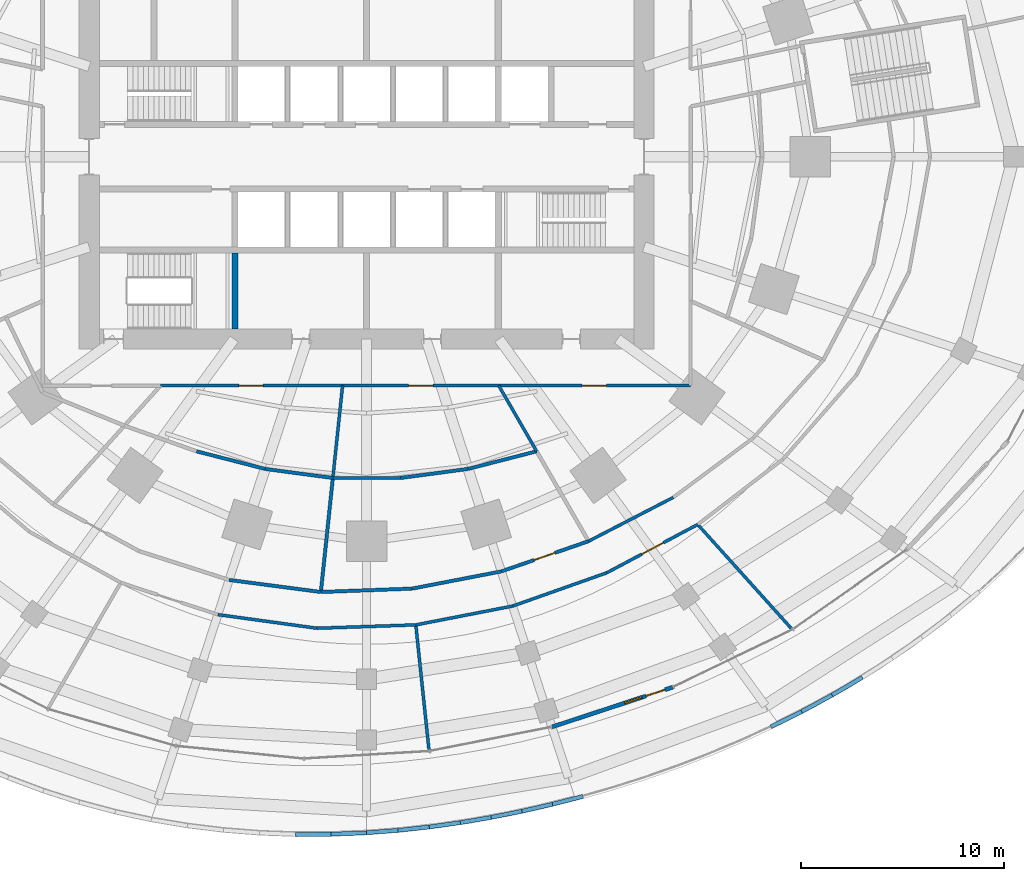
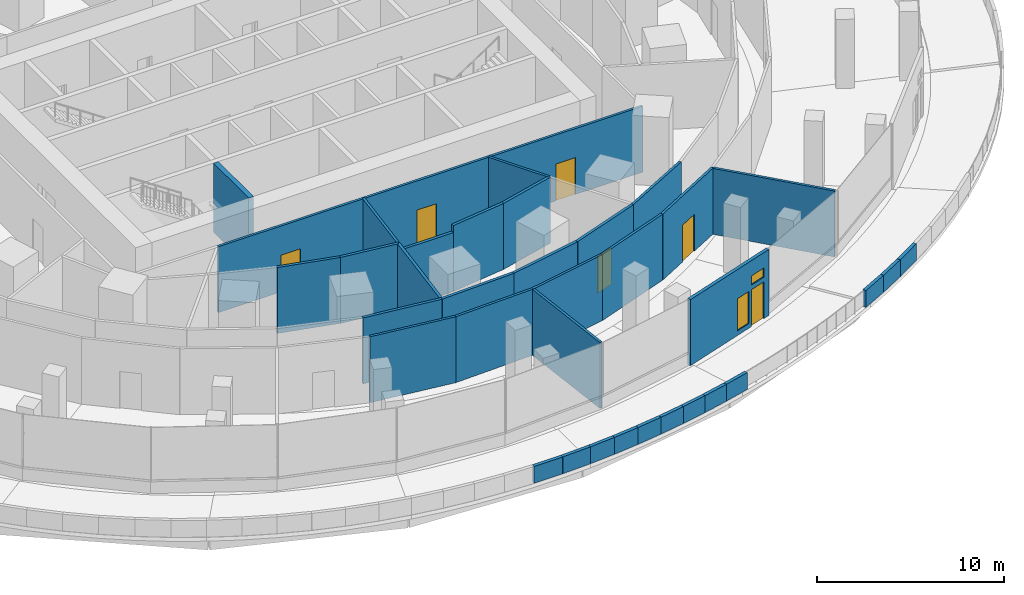
# One storey, part 19 of 27: 35 walls, 6 doors, 2 windows, 8 openings.
"""IFC4 building model written with IfcOpenShell, lengths in metres."""

import ifcopenshell
import ifcopenshell.guid

model = None  # the IFC model being written
_history = None  # IfcOwnerHistory: only IFC2X3 demands one
_inside = {}  # id of a spatial element -> (the spatial element, [elements in it])
_under = {}  # id of a project, library or spatial element -> (it, [spatial elements below it])
_declared = {}  # id of a project -> (the project, [libraries it declares])
_typed = {}  # id of a type object -> (the type object, [elements of that type])
_made_of = {}  # id of a material, layer set ... -> (it, [elements and type objects made of it])


def new_model(schema):
    """Start an empty IFC model of exactly this schema.

    Asked for "IFC4X3", IfcOpenShell would pick the latest addendum, in which some entities
    have other attributes; the version numbers below select the first issue.
    IFC2X3 requires an IfcOwnerHistory on every rooted entity: one is made here for all.
    """
    global model, _history
    if schema == "IFC4X3":
        model = ifcopenshell.file(schema_version=(4, 3, 0, 0))
    else:
        model = ifcopenshell.file(schema=schema)
    _inside.clear()
    _under.clear()
    _declared.clear()
    _typed.clear()
    _made_of.clear()
    _history = None
    if model.schema == "IFC2X3":
        org = make("IfcOrganization", Name="unknown")
        user = make(
            "IfcPersonAndOrganization",
            ThePerson=make("IfcPerson", FamilyName="unknown"),
            TheOrganization=org,
        )
        app = make(
            "IfcApplication",
            ApplicationDeveloper=org,
            Version="unknown",
            ApplicationFullName="unknown",
            ApplicationIdentifier="unknown",
        )
        _history = make(
            "IfcOwnerHistory",
            OwningUser=user,
            OwningApplication=app,
            ChangeAction="ADDED",
            CreationDate=0,
        )
    return model


def make(cls, **values):
    """One entity of the class cls with the attributes given. An attribute that is None is left unset."""
    return model.create_entity(
        cls, **{name: value for name, value in values.items() if value is not None}
    )


def rooted(cls, **values):
    """An entity with a GlobalId (a new one), such as an element, a storey or a relation."""
    return make(cls, GlobalId=ifcopenshell.guid.new(), OwnerHistory=_history, **values)


def si_unit(unit_type, name, prefix=None):
    """IfcSIUnit, for example si_unit("LENGTHUNIT", "METRE", prefix="MILLI")."""
    return make("IfcSIUnit", UnitType=unit_type, Prefix=prefix, Name=name)


def assignment(units):
    """IfcUnitAssignment: the units of a project."""
    return None if units is None else make("IfcUnitAssignment", Units=units)


def point(xyz):
    """IfcCartesianPoint."""
    return None if xyz is None else make("IfcCartesianPoint", Coordinates=xyz)


def direction(xyz):
    """IfcDirection."""
    return None if xyz is None else make("IfcDirection", DirectionRatios=xyz)


def frame(location, z_axis=None, x_axis=None):
    """IfcAxis2Placement3D, a coordinate frame: its origin and axes. An axis left out is left unset."""
    return make(
        "IfcAxis2Placement3D",
        Location=point(location),
        Axis=direction(z_axis),
        RefDirection=direction(x_axis),
    )


def frame_2d(location, x_axis=None):
    """IfcAxis2Placement2D, a coordinate frame in the plane: its origin and x axis."""
    return make(
        "IfcAxis2Placement2D", Location=point(location), RefDirection=direction(x_axis)
    )


def origin():
    """The frame at (0, 0, 0) with its axes left unset."""
    return frame((0.0, 0.0, 0.0))


def place(relative_to, where):
    """IfcLocalPlacement: puts the frame where relative to a parent placement (None: the world)."""
    return make(
        "IfcLocalPlacement", PlacementRelTo=relative_to, RelativePlacement=where
    )


def context(
    kind, dimensions, precision=None, world=None, true_north=None, identifier=None
):
    """IfcGeometricRepresentationContext, for example the 3D "Model" context."""
    return make(
        "IfcGeometricRepresentationContext",
        ContextIdentifier=identifier,
        ContextType=kind,
        CoordinateSpaceDimension=dimensions,
        Precision=precision,
        WorldCoordinateSystem=world,
        TrueNorth=true_north,
    )


def subcontext(parent, identifier, kind, view, scale=None):
    """IfcGeometricRepresentationSubContext, for example "Body" below "Model"."""
    return make(
        "IfcGeometricRepresentationSubContext",
        ContextIdentifier=identifier,
        ContextType=kind,
        ParentContext=parent,
        TargetScale=scale,
        TargetView=view,
    )


def project(units=None, contexts=None):
    """IfcProject with its units and contexts."""
    return rooted(
        "IfcProject",
        Name="project",
        RepresentationContexts=contexts,
        UnitsInContext=assignment(units),
    )


def spatial(cls, under=None, at=None, **own):
    """A site, building, storey or space (cls), placed at a placement, below another one or the project."""
    s = rooted(cls, ObjectPlacement=at, **own)
    if under is not None:
        _under.setdefault(under.id(), (under, []))[1].append(s)
    return s


def profile(cls, at=None, kind="AREA", **sizes):
    """A parametric profile (cls). Its sizes go by their IFC names, for example OverallWidth=200.0."""
    return make(cls, ProfileType=kind, Position=at, **sizes)


def rectangle(**sizes):
    """IfcRectangleProfileDef."""
    return profile("IfcRectangleProfileDef", **sizes)


def extrude(swept, where, along, depth):
    """IfcExtrudedAreaSolid: the profile swept, set in the frame where, extruded along a direction by depth."""
    return make(
        "IfcExtrudedAreaSolid",
        SweptArea=swept,
        Position=where,
        ExtrudedDirection=direction(along),
        Depth=depth,
    )


def shape(context_of_items, identifier, shape_type, items):
    """IfcShapeRepresentation: the items that make up one representation, for example the "Body"."""
    return make(
        "IfcShapeRepresentation",
        ContextOfItems=context_of_items,
        RepresentationIdentifier=identifier,
        RepresentationType=shape_type,
        Items=items,
    )


def material(Name=None, Category=None):
    """IfcMaterial."""
    return make("IfcMaterial", Name=Name, Category=Category)


def layer(
    of_material, thickness, ventilated=None, Name=None, Category=None, Priority=None
):
    """IfcMaterialLayer: one layer of a wall or slab, of a material (None: an air gap)."""
    return make(
        "IfcMaterialLayer",
        Material=of_material,
        LayerThickness=thickness,
        IsVentilated=ventilated,
        Name=Name,
        Category=Category,
        Priority=Priority,
    )


def layer_set(layers, Name=None):
    """IfcMaterialLayerSet."""
    return make("IfcMaterialLayerSet", MaterialLayers=layers, LayerSetName=Name)


def made_of(thing, what):
    """Note that an element or type object is made of a material, layer set ...; save() writes the relation."""
    if what is not None:
        _made_of.setdefault(what.id(), (what, []))[1].append(thing)
    return thing


def type_object(cls, material=None, **own):
    """A type object (cls), such as IfcWallType, which elements share."""
    return made_of(rooted(cls, **own), material)


def element(
    cls,
    number,
    at=None,
    inside=None,
    cuts=None,
    type_object=None,
    material=None,
    context=None,
    identifier="Body",
    shape_type=None,
    held_by="IfcProductDefinitionShape",
    body=None,
    shapes=None,
    **own,
):
    """One element of the class cls, such as IfcWall. Its Tag is "e" and its number.

    at: its placement. inside: the storey or other place that contains it. cuts: it is an
    opening in that element (IfcRelVoidsElement). A single representation is given by context,
    identifier, shape_type and body (its items); several are given by shapes. held_by: the class
    of the entity that holds the representations. save() writes the other relations.
    """
    e = rooted(cls, Tag="e%d" % number, ObjectPlacement=at, **own)
    if body is not None:
        shapes = [shape(context, identifier, shape_type, body)]
    if shapes is not None:
        e.Representation = make(held_by, Representations=shapes)
    if inside is not None:
        _inside.setdefault(inside.id(), (inside, []))[1].append(e)
    if cuts is not None:
        rooted(
            "IfcRelVoidsElement", RelatingBuildingElement=cuts, RelatedOpeningElement=e
        )
    if type_object is not None:
        _typed.setdefault(type_object.id(), (type_object, []))[1].append(e)
    return made_of(e, material)


def fill(opening, filler):
    """IfcRelFillsElement: the door or window that sits in an opening."""
    return rooted(
        "IfcRelFillsElement",
        RelatingOpeningElement=opening,
        RelatedBuildingElement=filler,
    )


def aggregate(whole, parts):
    """IfcRelAggregates: a whole, such as a stair, and the parts it consists of."""
    return rooted("IfcRelAggregates", RelatingObject=whole, RelatedObjects=parts)


def save(model, path):
    """Write the relations noted so far, then the file.

    IfcRelAggregates (storeys below a building ...), IfcRelContainedInSpatialStructure (elements
    in a storey), IfcRelDefinesByType, IfcRelAssociatesMaterial and IfcRelDeclares: one each for
    every whole, place, type object, material and project.
    """
    for whole, parts in _under.values():
        aggregate(whole, parts)
    for where, things in _inside.values():
        rooted(
            "IfcRelContainedInSpatialStructure",
            RelatedElements=things,
            RelatingStructure=where,
        )
    for kind, things in _typed.values():
        rooted("IfcRelDefinesByType", RelatedObjects=things, RelatingType=kind)
    for what, things in _made_of.values():
        rooted("IfcRelAssociatesMaterial", RelatedObjects=things, RelatingMaterial=what)
    for by, libraries in _declared.values():
        rooted("IfcRelDeclares", RelatingContext=by, RelatedDefinitions=libraries)
    model.write(path)


model = new_model("IFC4")

# Units and contexts
model_context = context("Model", 3, precision=1e-05, world=origin(), true_north=direction((0.0, 1.0)))
body_context = subcontext(model_context, "Body", "Model", "MODEL_VIEW")
ifc_project = project(units=[si_unit("LENGTHUNIT", "METRE"), si_unit("AREAUNIT", "SQUARE_METRE"), si_unit("VOLUMEUNIT", "CUBIC_METRE"), si_unit("PLANEANGLEUNIT", "RADIAN"), si_unit("MASSUNIT", "GRAM", prefix="KILO")], contexts=[model_context])

# Site, building, storey
site_placement = place(None, origin())
site = spatial("IfcSite", under=ifc_project, at=site_placement, CompositionType="ELEMENT")
building_placement = place(site_placement, origin())
building = spatial("IfcBuilding", under=site, at=building_placement, Name="Marramba Exchange Tower", CompositionType="ELEMENT")
storey_placement = place(building_placement, frame((0.0, 0.0, 10.60009765625)))
storey = spatial("IfcBuildingStorey", under=building, at=storey_placement, Name="L02", CompositionType="ELEMENT", Elevation=10.60009765625)

# Walls
ifc_material_1 = material(Name="Plasterboard on staggered double steel studs, acoustic insulation", Category="steel")
ifc_layer_1 = layer(ifc_material_1, 0.169921875)
ifc_layer_set_1 = layer_set([ifc_layer_1], Name="Acoustic partition 170")
wall_type_1 = type_object("IfcWallType", Name="Acoustic partition 170", PredefinedType="PARTITIONING", material=ifc_layer_set_1)
wall_1_placement = place(storey_placement, frame((-5.00830078125, -15.414306640625, 0.0), z_axis=(0.0, 0.0, 1.0), x_axis=(-0.968562622374, 0.248769866625, 0.0)))
element("IfcWall", 1, at=wall_1_placement, inside=storey, type_object=wall_type_1, Name="Acoustic partition L02 20", PredefinedType="PARTITIONING", context=body_context, shape_type="SweptSolid", body=[
    extrude(rectangle(XDim=3.498779296875, YDim=0.169921875, at=frame_2d((1.74951171875, 0.0))), origin(), (0.0, 0.0, 1.0), 4.2998046875),
])
wall_2_placement = place(storey_placement, frame((-2.2587890625, -21.4912109375, 0.0), z_axis=(0.0, 0.0, 1.0), x_axis=(-0.991487722643, 0.130200214467, 0.0)))
element("IfcWall", 2, at=wall_2_placement, inside=storey, type_object=wall_type_1, Name="Acoustic partition L02 23", PredefinedType="PARTITIONING", context=body_context, shape_type="SweptSolid", body=[
    extrude(rectangle(XDim=4.569580078125, YDim=0.169921875, at=frame_2d((2.28466796875, 0.0))), origin(), (0.0, 0.0, 1.0), 4.2998046875),
])
wall_3_placement = place(storey_placement, frame((-1.6669921875, -15.861083984375, 0.0), z_axis=(0.0, 0.0, 1.0), x_axis=(-0.991178495561, 0.132533731322, 0.0)))
element("IfcWall", 3, at=wall_3_placement, inside=storey, type_object=wall_type_1, Name="Acoustic partition L02 24", PredefinedType="PARTITIONING", context=body_context, shape_type="SweptSolid", body=[
    extrude(rectangle(XDim=3.37109375, YDim=0.169921875, at=frame_2d((1.685546875, 0.0))), origin(), (0.0, 0.0, 1.0), 4.2998046875),
])
wall_4_placement = place(storey_placement, frame((-1.6669921875, -15.861083984375, 0.0), z_axis=(0.0, 0.0, 1.0), x_axis=(-0.104536620101, -0.994521038017, 0.0)))
element("IfcWall", 4, at=wall_4_placement, inside=storey, type_object=wall_type_1, Name="Acoustic partition L02 27", PredefinedType="PARTITIONING", context=body_context, shape_type="SweptSolid", body=[
    extrude(rectangle(XDim=5.6611328125, YDim=0.169921875, at=frame_2d((2.83056640625, 0.0))), origin(), (0.0, 0.0, 1.0), 4.2998046875),
])
wall_5_placement = place(storey_placement, frame((2.2412109375, -21.32470703125, 0.0), z_axis=(0.0, 0.0, 1.0), x_axis=(-0.999316169957, -0.03697556575, 0.0)))
element("IfcWall", 5, at=wall_5_placement, inside=storey, type_object=wall_type_1, Name="Acoustic partition L02 28", PredefinedType="PARTITIONING", context=body_context, shape_type="SweptSolid", body=[
    extrude(rectangle(XDim=4.503173828125, YDim=0.169921875, at=frame_2d((2.25146484375, 0.0))), origin(), (0.0, 0.0, 1.0), 4.2998046875),
])
wall_6_placement = place(storey_placement, frame((1.6669921875, -15.861083984375, 0.0), z_axis=(0.0, 0.0, 1.0), x_axis=(-1.0, 0.0, 0.0)))
element("IfcWall", 6, at=wall_6_placement, inside=storey, type_object=wall_type_1, Name="Acoustic partition L02 30", PredefinedType="PARTITIONING", context=body_context, shape_type="SweptSolid", body=[
    extrude(rectangle(XDim=3.333984375, YDim=0.169921875, at=frame_2d((1.6669921875, 0.0))), origin(), (0.0, 0.0, 1.0), 3.845947265625),
])
wall_7_placement = place(storey_placement, frame((6.652587890625, -20.474609375, 0.0), z_axis=(0.0, 0.0, 1.0), x_axis=(-0.981933890717, -0.189224296169, 0.0)))
element("IfcWall", 7, at=wall_7_placement, inside=storey, type_object=wall_type_1, Name="Acoustic partition L02 33", PredefinedType="PARTITIONING", context=body_context, shape_type="SweptSolid", body=[
    extrude(rectangle(XDim=4.492431640625, YDim=0.169921875, at=frame_2d((2.24609375, 0.0))), origin(), (0.0, 0.0, 1.0), 4.2998046875),
])
wall_8_placement = place(storey_placement, frame((5.00830078125, -15.414306640625, 0.0), z_axis=(0.0, 0.0, 1.0), x_axis=(-0.991178495561, -0.132533731322, 0.0)))
element("IfcWall", 8, at=wall_8_placement, inside=storey, type_object=wall_type_1, Name="Acoustic partition L02 34", PredefinedType="PARTITIONING", context=body_context, shape_type="SweptSolid", body=[
    extrude(rectangle(XDim=3.37109375, YDim=0.169921875, at=frame_2d((1.685546875, 0.0))), origin(), (0.0, 0.0, 1.0), 4.2998046875),
])

# Wall, opening, door
wall_9_placement = place(storey_placement, frame((10.9599609375, -18.983154296875, 0.0), z_axis=(0.0, 0.0, 1.0), x_axis=(-0.944956141071, -0.327197022377, 0.0)))
wall_9 = element("IfcWall", 9, at=wall_9_placement, inside=storey, type_object=wall_type_1, Name="Acoustic partition L02 37", PredefinedType="PARTITIONING", context=body_context, shape_type="SweptSolid", body=[
    extrude(rectangle(XDim=4.558349609375, YDim=0.169921875, at=frame_2d((2.279296875, 0.0))), origin(), (0.0, 0.0, 1.0), 4.2998046875),
])
opening_1_placement = place(wall_9_placement, frame((1.75390625, 0.0, 0.0)))
opening_1 = element("IfcOpeningElement", 10, at=opening_1_placement, cuts=wall_9, Name="Opening D15", PredefinedType="OPENING", context=body_context, shape_type="SweptSolid", body=[
    extrude(rectangle(XDim=1.10009765625, YDim=2.39990234375, at=frame_2d((0.550048828125, 1.199951171875))), frame((0.0, 0.094970703125, 0.0), z_axis=(0.0, -1.0, 0.0), x_axis=(1.0, 0.0, 0.0)), (0.0, 0.0, 1.0), 0.18994140625),
])
ifc_material_2 = material(Name="Timber door", Category="wood")
door_type_1 = type_object("IfcDoorType", Name="Glazed meeting room door 1100x2400", OperationType="SINGLE_SWING_LEFT", PredefinedType="DOOR", material=ifc_material_2)
door_1_placement = place(opening_1_placement, origin())
door_1 = element("IfcDoor", 11, at=door_1_placement, inside=storey, type_object=door_type_1, Name="D15 Meeting Room 5 L02", OperationType="SINGLE_SWING_RIGHT", OverallHeight=2.39990234375, OverallWidth=1.10009765625, PredefinedType="DOOR", context=body_context, shape_type="SweptSolid", body=[
    extrude(rectangle(XDim=1.10009765625, YDim=2.39990234375, at=frame_2d((0.550048828125, 1.199951171875))), frame((0.0, 0.02490234375, 0.0), z_axis=(0.0, -1.0, 0.0), x_axis=(1.0, 0.0, 0.0)), (0.0, 0.0, 1.0), 0.050048828125),
])
fill(opening_1, door_1)

# Walls
wall_10_placement = place(storey_placement, frame((8.39697265625, -14.5439453125, 0.0), z_axis=(0.0, 0.0, 1.0), x_axis=(-0.968562622374, -0.248769866625, 0.0)))
element("IfcWall", 12, at=wall_10_placement, inside=storey, type_object=wall_type_1, Name="Acoustic partition L02 38", PredefinedType="PARTITIONING", context=body_context, shape_type="SweptSolid", body=[
    extrude(rectangle(XDim=3.498779296875, YDim=0.169921875, at=frame_2d((1.74951171875, 0.0))), origin(), (0.0, 0.0, 1.0), 4.2998046875),
])
ifc_material_3 = material(Name="Concrete N50", Category="concrete")
ifc_layer_2 = layer(ifc_material_3, 0.300048828125)
ifc_layer_set_2 = layer_set([ifc_layer_2], Name="Core wall 300")
wall_type_2 = type_object("IfcWallType", Name="Core wall 300", PredefinedType="SHEAR", material=ifc_layer_set_2)
wall_11_placement = place(storey_placement, frame((-6.5, -4.75, 0.0), z_axis=(0.0, 0.0, 1.0), x_axis=(0.0, -1.0, 0.0)))
element("IfcWall", 13, at=wall_11_placement, inside=storey, type_object=wall_type_2, Name="Core wall X0Sb L02", PredefinedType="SHEAR", context=body_context, shape_type="SweptSolid", body=[
    extrude(rectangle(XDim=3.75, YDim=0.300048828125, at=frame_2d((1.875, 0.0))), origin(), (0.0, 0.0, 1.0), 4.5),
])

# Wall, openings, door, windows
ifc_material_4 = material(Name="Aluminium-framed bronze cladding on steel studs", Category="steel")
ifc_layer_3 = layer(ifc_material_4, 0.199951171875)
ifc_layer_set_3 = layer_set([ifc_layer_3], Name="Door screen wall 200")
wall_type_3 = type_object("IfcWallType", Name="Door screen wall 200", PredefinedType="SOLIDWALL", material=ifc_layer_set_3)
wall_12_placement = place(storey_placement, frame((9.1484375, -28.15576171875, 0.0), z_axis=(0.0, 0.0, 1.0), x_axis=(0.949868601524, 0.312649388034, 0.0)))
wall_12 = element("IfcWall", 14, at=wall_12_placement, inside=storey, type_object=wall_type_3, Name="Door screen L02 F25", PredefinedType="SOLIDWALL", context=body_context, shape_type="SweptSolid", body=[
    extrude(rectangle(XDim=6.28759765625, YDim=0.199951171875, at=frame_2d((3.143798828125, 0.0))), origin(), (0.0, 0.0, 1.0), 4.2998046875),
])
opening_2_placement = place(wall_12_placement, frame((4.8876953125, 0.0, 0.0)))
opening_2 = element("IfcOpeningElement", 15, at=opening_2_placement, cuts=wall_12, Name="Opening D6", PredefinedType="OPENING", context=body_context, shape_type="SweptSolid", body=[
    extrude(rectangle(XDim=1.0, YDim=2.39990234375, at=frame_2d((0.5, 1.199951171875))), frame((0.0, 0.10986328125, 0.0), z_axis=(0.0, -1.0, 0.0), x_axis=(1.0, 0.0, 0.0)), (0.0, 0.0, 1.0), 0.219970703125),
])
opening_3_placement = place(wall_12_placement, frame((3.78759765625, 0.0, 0.300048828125)))
opening_3 = element("IfcOpeningElement", 16, at=opening_3_placement, cuts=wall_12, Name="Opening W4", PredefinedType="OPENING", context=body_context, shape_type="SweptSolid", body=[
    extrude(rectangle(XDim=0.89990234375, YDim=2.10009765625, at=frame_2d((0.449951171875, 1.050048828125))), frame((0.0, 0.10986328125, 0.0), z_axis=(0.0, -1.0, 0.0), x_axis=(1.0, 0.0, 0.0)), (0.0, 0.0, 1.0), 0.219970703125),
])
opening_4_placement = place(wall_12_placement, frame((4.8876953125, 0.0, 2.699951171875)))
opening_4 = element("IfcOpeningElement", 17, at=opening_4_placement, cuts=wall_12, Name="Opening W5", PredefinedType="OPENING", context=body_context, shape_type="SweptSolid", body=[
    extrude(rectangle(XDim=1.0, YDim=0.60009765625, at=frame_2d((0.5, 0.300048828125))), frame((0.0, 0.10986328125, 0.0), z_axis=(0.0, -1.0, 0.0), x_axis=(1.0, 0.0, 0.0)), (0.0, 0.0, 1.0), 0.219970703125),
])
ifc_material_5 = material(Name="Aluminium-framed glazed door, bronze", Category="aluminium")
door_type_2 = type_object("IfcDoorType", Name="Terrace door 1000x2400", OperationType="SINGLE_SWING_LEFT", PredefinedType="DOOR", material=ifc_material_5)
door_2_placement = place(opening_2_placement, frame((1.0, 0.0, 0.0), z_axis=(0.0, 0.0, 1.0), x_axis=(-1.0, 0.0, 0.0)))
door_2 = element("IfcDoor", 18, at=door_2_placement, inside=storey, type_object=door_type_2, Name="D6 L02", OperationType="SINGLE_SWING_RIGHT", OverallHeight=2.39990234375, OverallWidth=1.0, PredefinedType="DOOR", context=body_context, shape_type="SweptSolid", body=[
    extrude(rectangle(XDim=1.0, YDim=2.39990234375, at=frame_2d((0.5, 1.199951171875))), frame((0.0, 0.025146484375, 0.0), z_axis=(0.0, -1.0, 0.0), x_axis=(1.0, 0.0, 0.0)), (0.0, 0.0, 1.0), 0.050048828125),
])
fill(opening_2, door_2)
ifc_material_6 = material(Name="Aluminium-framed fixed light, bronze, double glazed", Category="aluminium")
window_type_1 = type_object("IfcWindowType", Name="Terrace sidelight 900x2100", PartitioningType="SINGLE_PANEL", PredefinedType="WINDOW", material=ifc_material_6)
window_1_placement = place(opening_3_placement, origin())
window_1 = element("IfcWindow", 19, at=window_1_placement, inside=storey, type_object=window_type_1, Name="W4 L02 F25 left", OverallHeight=2.10009765625, OverallWidth=0.89990234375, PartitioningType="SINGLE_PANEL", PredefinedType="WINDOW", context=body_context, shape_type="SweptSolid", body=[
    extrude(rectangle(XDim=0.89990234375, YDim=2.10009765625, at=frame_2d((0.449951171875, 1.050048828125))), frame((0.0, 0.030029296875, 0.0), z_axis=(0.0, -1.0, 0.0), x_axis=(1.0, 0.0, 0.0)), (0.0, 0.0, 1.0), 0.06005859375),
])
fill(opening_3, window_1)
window_type_2 = type_object("IfcWindowType", Name="Terrace transom light 1000x600", PartitioningType="SINGLE_PANEL", PredefinedType="WINDOW", material=ifc_material_6)
window_2_placement = place(opening_4_placement, origin())
window_2 = element("IfcWindow", 20, at=window_2_placement, inside=storey, type_object=window_type_2, Name="W5 L02 F25 over the door", OverallHeight=0.60009765625, OverallWidth=1.0, PartitioningType="SINGLE_PANEL", PredefinedType="WINDOW", context=body_context, shape_type="SweptSolid", body=[
    extrude(rectangle(XDim=1.0, YDim=0.60009765625, at=frame_2d((0.5, 0.300048828125))), frame((0.0, 0.030029296875, 0.0), z_axis=(0.0, -1.0, 0.0), x_axis=(1.0, 0.0, 0.0)), (0.0, 0.0, 1.0), 0.06005859375),
])
fill(opening_4, window_2)

# Walls
ifc_material_7 = material(Name="Concrete N40", Category="concrete")
ifc_layer_4 = layer(ifc_material_7, 0.199951171875)
ifc_layer_set_4 = layer_set([ifc_layer_4], Name="Roof parapet 200")
wall_type_4 = type_object("IfcWallType", Name="Roof parapet 200", PredefinedType="PARAPET", material=ifc_layer_set_4)
wall_13_placement = place(storey_placement, frame((-3.5166015625, -33.457763671875, 0.0), z_axis=(0.0, 0.0, 1.0), x_axis=(0.9999957736, 0.002907366918, 0.0)))
element("IfcWall", 21, at=wall_13_placement, inside=storey, type_object=wall_type_4, Name="Parapet L02 bay 15", PredefinedType="PARAPET", context=body_context, shape_type="SweptSolid", body=[
    extrude(rectangle(XDim=1.763427734375, YDim=0.199951171875, at=frame_2d((0.8818359375, 0.0))), origin(), (0.0, 0.0, 1.0), 1.099853515625),
])
wall_14_placement = place(storey_placement, frame((-1.753173828125, -33.45263671875, 0.0), z_axis=(0.0, 0.0, 1.0), x_axis=(0.999140051998, 0.041462712087, 0.0)))
element("IfcWall", 22, at=wall_14_placement, inside=storey, type_object=wall_type_4, Name="Parapet L02 bay 15", PredefinedType="PARAPET", context=body_context, shape_type="SweptSolid", body=[
    extrude(rectangle(XDim=1.754638671875, YDim=0.199951171875, at=frame_2d((0.87744140625, 0.0))), origin(), (0.0, 0.0, 1.0), 1.099853515625),
])
wall_15_placement = place(storey_placement, frame((0.0, -33.3798828125, 0.0), z_axis=(0.0, 0.0, 1.0), x_axis=(0.997097724526, 0.076132304218, 0.0)))
element("IfcWall", 23, at=wall_15_placement, inside=storey, type_object=wall_type_4, Name="Parapet L02 bay 16", PredefinedType="PARAPET", context=body_context, shape_type="SweptSolid", body=[
    extrude(rectangle(XDim=1.55517578125, YDim=0.199951171875, at=frame_2d((0.777587890625, 0.0))), origin(), (0.0, 0.0, 1.0), 1.099853515625),
])
wall_16_placement = place(storey_placement, frame((1.55078125, -33.261474609375, 0.0), z_axis=(0.0, 0.0, 1.0), x_axis=(0.99415144631, 0.107994915624, 0.0)))
element("IfcWall", 24, at=wall_16_placement, inside=storey, type_object=wall_type_4, Name="Parapet L02 bay 16", PredefinedType="PARAPET", context=body_context, shape_type="SweptSolid", body=[
    extrude(rectangle(XDim=1.55078125, YDim=0.199951171875, at=frame_2d((0.775390625, 0.0))), origin(), (0.0, 0.0, 1.0), 1.099853515625),
])
wall_17_placement = place(storey_placement, frame((3.092529296875, -33.093994140625, 0.0), z_axis=(0.0, 0.0, 1.0), x_axis=(0.990410918313, 0.13815286058, 0.0)))
element("IfcWall", 25, at=wall_17_placement, inside=storey, type_object=wall_type_4, Name="Parapet L02 bay 16", PredefinedType="PARAPET", context=body_context, shape_type="SweptSolid", body=[
    extrude(rectangle(XDim=1.548095703125, YDim=0.199951171875, at=frame_2d((0.77392578125, 0.0))), origin(), (0.0, 0.0, 1.0), 1.099853515625),
])
wall_18_placement = place(storey_placement, frame((4.625732421875, -32.880126953125, 0.0), z_axis=(0.0, 0.0, 1.0), x_axis=(0.985872795835, 0.167495762431, 0.0)))
element("IfcWall", 26, at=wall_18_placement, inside=storey, type_object=wall_type_4, Name="Parapet L02 bay 16", PredefinedType="PARAPET", context=body_context, shape_type="SweptSolid", body=[
    extrude(rectangle(XDim=1.54638671875, YDim=0.199951171875, at=frame_2d((0.773193359375, 0.0))), origin(), (0.0, 0.0, 1.0), 1.099853515625),
])
wall_19_placement = place(storey_placement, frame((6.150390625, -32.62109375, 0.0), z_axis=(0.0, 0.0, 1.0), x_axis=(0.980635264408, 0.195842993745, 0.0)))
element("IfcWall", 27, at=wall_19_placement, inside=storey, type_object=wall_type_4, Name="Parapet L02 bay 16", PredefinedType="PARAPET", context=body_context, shape_type="SweptSolid", body=[
    extrude(rectangle(XDim=1.547119140625, YDim=0.199951171875, at=frame_2d((0.7734375, 0.0))), origin(), (0.0, 0.0, 1.0), 1.099853515625),
])
wall_20_placement = place(storey_placement, frame((7.66748046875, -32.318115234375, 0.0), z_axis=(0.0, 0.0, 1.0), x_axis=(0.974745899431, 0.223316885933, 0.0)))
element("IfcWall", 28, at=wall_20_placement, inside=storey, type_object=wall_type_4, Name="Parapet L02 bay 16", PredefinedType="PARAPET", context=body_context, shape_type="SweptSolid", body=[
    extrude(rectangle(XDim=1.549072265625, YDim=0.199951171875, at=frame_2d((0.7744140625, 0.0))), origin(), (0.0, 0.0, 1.0), 1.099853515625),
])
wall_21_placement = place(storey_placement, frame((9.177490234375, -31.97216796875, 0.0), z_axis=(0.0, 0.0, 1.0), x_axis=(0.968188939365, 0.250220258355, 0.0)))
element("IfcWall", 29, at=wall_21_placement, inside=storey, type_object=wall_type_4, Name="Parapet L02 bay 16", PredefinedType="PARAPET", context=body_context, shape_type="SweptSolid", body=[
    extrude(rectangle(XDim=1.55322265625, YDim=0.199951171875, at=frame_2d((0.776611328125, 0.0))), origin(), (0.0, 0.0, 1.0), 1.099853515625),
])
wall_22_placement = place(storey_placement, frame((19.962158203125, -28.15234375, 0.0), z_axis=(0.0, 0.0, 1.0), x_axis=(0.895549025749, 0.44496285517, 0.0)))
element("IfcWall", 30, at=wall_22_placement, inside=storey, type_object=wall_type_4, Name="Parapet L02 bay 18", PredefinedType="PARAPET", context=body_context, shape_type="SweptSolid", body=[
    extrude(rectangle(XDim=1.693115234375, YDim=0.199951171875, at=frame_2d((0.8466796875, 0.0))), origin(), (0.0, 0.0, 1.0), 1.099853515625),
])
wall_23_placement = place(storey_placement, frame((21.478515625, -27.39892578125, 0.0), z_axis=(0.0, 0.0, 1.0), x_axis=(0.879935184484, 0.475093749809, 0.0)))
element("IfcWall", 31, at=wall_23_placement, inside=storey, type_object=wall_type_4, Name="Parapet L02 bay 18", PredefinedType="PARAPET", context=body_context, shape_type="SweptSolid", body=[
    extrude(rectangle(XDim=1.71337890625, YDim=0.199951171875, at=frame_2d((0.856689453125, 0.0))), origin(), (0.0, 0.0, 1.0), 1.099853515625),
])
wall_24_placement = place(storey_placement, frame((22.986083984375, -26.5849609375, 0.0), z_axis=(0.0, 0.0, 1.0), x_axis=(0.862238044275, 0.50650326258, 0.0)))
element("IfcWall", 32, at=wall_24_placement, inside=storey, type_object=wall_type_4, Name="Parapet L02 bay 18", PredefinedType="PARAPET", context=body_context, shape_type="SweptSolid", body=[
    extrude(rectangle(XDim=1.734375, YDim=0.199951171875, at=frame_2d((0.8671875, 0.0))), origin(), (0.0, 0.0, 1.0), 1.099853515625),
])
ifc_material_8 = material(Name="Fire-rated plasterboard on steel studs, acoustic insulation", Category="steel")
ifc_layer_5 = layer(ifc_material_8, 0.14990234375)
ifc_layer_set_5 = layer_set([ifc_layer_5], Name="Tenancy wall 150")
wall_type_5 = type_object("IfcWallType", Name="Tenancy wall 150", PredefinedType="PARTITIONING", material=ifc_layer_set_5)
wall_25_placement = place(storey_placement, frame((-7.345947265625, -22.608154296875, 0.0), z_axis=(0.0, 0.0, 1.0), x_axis=(0.990692659729, -0.136117794422, 0.0)))
element("IfcWall", 33, at=wall_25_placement, inside=storey, type_object=wall_type_5, Name="Tenancy wall L02 25", PredefinedType="PARTITIONING", context=body_context, shape_type="SweptSolid", body=[
    extrude(rectangle(XDim=4.945068359375, YDim=0.14990234375, at=frame_2d((2.47265625, 0.0))), origin(), (0.0, 0.0, 1.0), 4.2998046875),
])
wall_26_placement = place(storey_placement, frame((-1.187744140625, -11.300048828125, 0.0), z_axis=(0.0, 0.0, 1.0), x_axis=(-0.104499118624, -0.994524979177, 0.0)))
element("IfcWall", 34, at=wall_26_placement, inside=storey, type_object=wall_type_5, Name="Tenancy wall L02 26", PredefinedType="PARTITIONING", context=body_context, shape_type="SweptSolid", body=[
    extrude(rectangle(XDim=4.586181640625, YDim=0.14990234375, at=frame_2d((2.29296875, 0.0))), origin(), (0.0, 0.0, 1.0), 4.2998046875),
])
wall_27_placement = place(storey_placement, frame((-2.447021484375, -23.28125, 0.0), z_axis=(0.0, 0.0, 1.0), x_axis=(0.999419294802, 0.034074523869, 0.0)))
element("IfcWall", 35, at=wall_27_placement, inside=storey, type_object=wall_type_5, Name="Tenancy wall L02 29", PredefinedType="PARTITIONING", context=body_context, shape_type="SweptSolid", body=[
    extrude(rectangle(XDim=4.87939453125, YDim=0.14990234375, at=frame_2d((2.439697265625, 0.0))), origin(), (0.0, 0.0, 1.0), 4.2998046875),
])
wall_28_placement = place(storey_placement, frame((2.429443359375, -23.114990234375, 0.0), z_axis=(0.0, 0.0, 1.0), x_axis=(0.104522643755, -0.994522507006, 0.0)))
element("IfcWall", 36, at=wall_28_placement, inside=storey, type_object=wall_type_5, Name="Tenancy wall L02 31", PredefinedType="PARTITIONING", context=body_context, shape_type="SweptSolid", body=[
    extrude(rectangle(XDim=6.192138671875, YDim=0.14990234375, at=frame_2d((3.09619140625, 0.0))), origin(), (0.0, 0.0, 1.0), 4.2998046875),
])
wall_29_placement = place(storey_placement, frame((2.429443359375, -23.114990234375, 0.0), z_axis=(0.0, 0.0, 1.0), x_axis=(0.981647737098, 0.190703225592, 0.0)))
element("IfcWall", 37, at=wall_29_placement, inside=storey, type_object=wall_type_5, Name="Tenancy wall L02 32", PredefinedType="PARTITIONING", context=body_context, shape_type="SweptSolid", body=[
    extrude(rectangle(XDim=4.86865234375, YDim=0.14990234375, at=frame_2d((2.434326171875, 0.0))), origin(), (0.0, 0.0, 1.0), 4.2998046875),
])

# Wall, openings, doors
wall_30_placement = place(storey_placement, frame((-10.174560546875, -11.300048828125, 0.0), z_axis=(0.0, 0.0, 1.0), x_axis=(1.0, 0.0, 0.0)))
wall_30 = element("IfcWall", 38, at=wall_30_placement, inside=storey, type_object=wall_type_5, Name="Tenancy wall L02 35", PredefinedType="PARTITIONING", context=body_context, shape_type="SweptSolid", body=[
    extrude(rectangle(XDim=26.174560546875, YDim=0.14990234375, at=frame_2d((13.08740234375, 0.0))), origin(), (0.0, 0.0, 1.0), 4.2998046875),
])
opening_5_placement = place(wall_30_placement, frame((20.81201171875, 0.0, 0.0)))
opening_5 = element("IfcOpeningElement", 39, at=opening_5_placement, cuts=wall_30, Name="Opening D13", PredefinedType="OPENING", context=body_context, shape_type="SweptSolid", body=[
    extrude(rectangle(XDim=1.199951171875, YDim=2.39990234375, at=frame_2d((0.60009765625, 1.199951171875))), frame((0.0, 0.0849609375, 0.0), z_axis=(0.0, -1.0, 0.0), x_axis=(1.0, 0.0, 0.0)), (0.0, 0.0, 1.0), 0.169921875),
])
opening_6_placement = place(wall_30_placement, frame((3.867919921875, 0.0, 0.0)))
opening_6 = element("IfcOpeningElement", 40, at=opening_6_placement, cuts=wall_30, Name="Opening D13", PredefinedType="OPENING", context=body_context, shape_type="SweptSolid", body=[
    extrude(rectangle(XDim=1.199951171875, YDim=2.39990234375, at=frame_2d((0.60009765625, 1.199951171875))), frame((0.0, 0.0849609375, 0.0), z_axis=(0.0, -1.0, 0.0), x_axis=(1.0, 0.0, 0.0)), (0.0, 0.0, 1.0), 0.169921875),
])
opening_7_placement = place(wall_30_placement, frame((12.242919921875, 0.0, 0.0)))
opening_7 = element("IfcOpeningElement", 41, at=opening_7_placement, cuts=wall_30, Name="Opening D13", PredefinedType="OPENING", context=body_context, shape_type="SweptSolid", body=[
    extrude(rectangle(XDim=1.199951171875, YDim=2.39990234375, at=frame_2d((0.60009765625, 1.199951171875))), frame((0.0, 0.0849609375, 0.0), z_axis=(0.0, -1.0, 0.0), x_axis=(1.0, 0.0, 0.0)), (0.0, 0.0, 1.0), 0.169921875),
])
ifc_material_9 = material(Name="Steel-framed door", Category="steel")
door_type_3 = type_object("IfcDoorType", Name="Tenancy entry door 1200x2400", OperationType="SINGLE_SWING_LEFT", PredefinedType="DOOR", material=ifc_material_9)
door_3_placement = place(opening_5_placement, origin())
door_3 = element("IfcDoor", 42, at=door_3_placement, inside=storey, type_object=door_type_3, Name="D13 Conference Room L02", OperationType="SINGLE_SWING_RIGHT", OverallHeight=2.39990234375, OverallWidth=1.199951171875, PredefinedType="DOOR", context=body_context, shape_type="SweptSolid", body=[
    extrude(rectangle(XDim=1.199951171875, YDim=2.39990234375, at=frame_2d((0.60009765625, 1.199951171875))), frame((0.0, 0.02490234375, 0.0), z_axis=(0.0, -1.0, 0.0), x_axis=(1.0, 0.0, 0.0)), (0.0, 0.0, 1.0), 0.050048828125),
])
fill(opening_5, door_3)
door_4_placement = place(opening_6_placement, frame((1.199951171875, 0.0, 0.0), z_axis=(0.0, 0.0, 1.0), x_axis=(-1.0, 0.0, 0.0)))
door_4 = element("IfcDoor", 43, at=door_4_placement, inside=storey, type_object=door_type_3, Name="D13 Pantry L02", OperationType="SINGLE_SWING_LEFT", OverallHeight=2.39990234375, OverallWidth=1.199951171875, PredefinedType="DOOR", context=body_context, shape_type="SweptSolid", body=[
    extrude(rectangle(XDim=1.199951171875, YDim=2.39990234375, at=frame_2d((0.599853515625, 1.199951171875))), frame((0.0, 0.025146484375, 0.0), z_axis=(0.0, -1.0, 0.0), x_axis=(1.0, 0.0, 0.0)), (0.0, 0.0, 1.0), 0.050048828125),
])
fill(opening_6, door_4)
door_5_placement = place(opening_7_placement, frame((1.199951171875, 0.0, 0.0), z_axis=(0.0, 0.0, 1.0), x_axis=(-1.0, 0.0, 0.0)))
door_5 = element("IfcDoor", 44, at=door_5_placement, inside=storey, type_object=door_type_3, Name="D13 Print Room L02", OperationType="SINGLE_SWING_RIGHT", OverallHeight=2.39990234375, OverallWidth=1.199951171875, PredefinedType="DOOR", context=body_context, shape_type="SweptSolid", body=[
    extrude(rectangle(XDim=1.199951171875, YDim=2.39990234375, at=frame_2d((0.599853515625, 1.199951171875))), frame((0.0, 0.025146484375, 0.0), z_axis=(0.0, -1.0, 0.0), x_axis=(1.0, 0.0, 0.0)), (0.0, 0.0, 1.0), 0.050048828125),
])
fill(opening_7, door_5)

# Walls
wall_31_placement = place(storey_placement, frame((7.208740234375, -22.1865234375, 0.0), z_axis=(0.0, 0.0, 1.0), x_axis=(0.94280197492, 0.333353320197, 0.0)))
element("IfcWall", 45, at=wall_31_placement, inside=storey, type_object=wall_type_5, Name="Tenancy wall L02 36", PredefinedType="PARTITIONING", context=body_context, shape_type="SweptSolid", body=[
    extrude(rectangle(XDim=4.933349609375, YDim=0.14990234375, at=frame_2d((2.466796875, 0.0))), origin(), (0.0, 0.0, 1.0), 4.2998046875),
])
wall_32_placement = place(storey_placement, frame((6.524169921875, -11.300048828125, 0.0), z_axis=(0.0, 0.0, 1.0), x_axis=(0.499987630939, -0.866032544947, 0.0)))
element("IfcWall", 46, at=wall_32_placement, inside=storey, type_object=wall_type_5, Name="Tenancy wall L02 40", PredefinedType="PARTITIONING", context=body_context, shape_type="SweptSolid", body=[
    extrude(rectangle(XDim=3.74560546875, YDim=0.14990234375, at=frame_2d((1.872802734375, 0.0))), origin(), (0.0, 0.0, 1.0), 4.2998046875),
])

# Wall, opening, door
wall_33_placement = place(storey_placement, frame((11.85986328125, -20.5419921875, 0.0), z_axis=(0.0, 0.0, 1.0), x_axis=(0.883167950269, 0.469056895928, 0.0)))
wall_33 = element("IfcWall", 47, at=wall_33_placement, inside=storey, type_object=wall_type_5, Name="Tenancy wall L02 41", PredefinedType="PARTITIONING", context=body_context, shape_type="SweptSolid", body=[
    extrude(rectangle(XDim=5.083251953125, YDim=0.14990234375, at=frame_2d((2.54150390625, 0.0))), origin(), (0.0, 0.0, 1.0), 4.2998046875),
])
opening_8_placement = place(wall_33_placement, frame((1.967041015625, 0.0, 0.0)))
opening_8 = element("IfcOpeningElement", 48, at=opening_8_placement, cuts=wall_33, Name="Opening D13", PredefinedType="OPENING", context=body_context, shape_type="SweptSolid", body=[
    extrude(rectangle(XDim=1.199951171875, YDim=2.39990234375, at=frame_2d((0.60009765625, 1.199951171875))), frame((0.0, 0.0849609375, 0.0), z_axis=(0.0, -1.0, 0.0), x_axis=(1.0, 0.0, 0.0)), (0.0, 0.0, 1.0), 0.169921875),
])
door_6_placement = place(opening_8_placement, origin())
door_6 = element("IfcDoor", 49, at=door_6_placement, inside=storey, type_object=door_type_3, Name="D13 Market Surveillance Office L02", OperationType="SINGLE_SWING_RIGHT", OverallHeight=2.39990234375, OverallWidth=1.199951171875, PredefinedType="DOOR", context=body_context, shape_type="SweptSolid", body=[
    extrude(rectangle(XDim=1.199951171875, YDim=2.39990234375, at=frame_2d((0.60009765625, 1.199951171875))), frame((0.0, 0.02490234375, 0.0), z_axis=(0.0, -1.0, 0.0), x_axis=(1.0, 0.0, 0.0)), (0.0, 0.0, 1.0), 0.050048828125),
])
fill(opening_8, door_6)

# Walls
wall_34_placement = place(storey_placement, frame((15.144775390625, -16.81982421875, 0.0), z_axis=(0.0, 0.0, 1.0), x_axis=(-0.888324088064, -0.459217066935, 0.0)))
element("IfcWall", 50, at=wall_34_placement, inside=storey, type_object=wall_type_5, Name="Tenancy wall L02 42", PredefinedType="PARTITIONING", context=body_context, shape_type="SweptSolid", body=[
    extrude(rectangle(XDim=4.7109375, YDim=0.14990234375, at=frame_2d((2.35546875, 0.0))), origin(), (0.0, 0.0, 1.0), 4.2998046875),
])
wall_35_placement = place(storey_placement, frame((20.968994140625, -23.288330078125, 0.0), z_axis=(0.0, 0.0, 1.0), x_axis=(-0.669150311089, 0.743127082785, 0.0)))
element("IfcWall", 51, at=wall_35_placement, inside=storey, type_object=wall_type_5, Name="Tenancy wall L02 43", PredefinedType="PARTITIONING", context=body_context, shape_type="SweptSolid", body=[
    extrude(rectangle(XDim=6.904052734375, YDim=0.14990234375, at=frame_2d((3.4521484375, 0.0))), origin(), (0.0, 0.0, 1.0), 4.2998046875),
])

save(model, "model.ifc")
